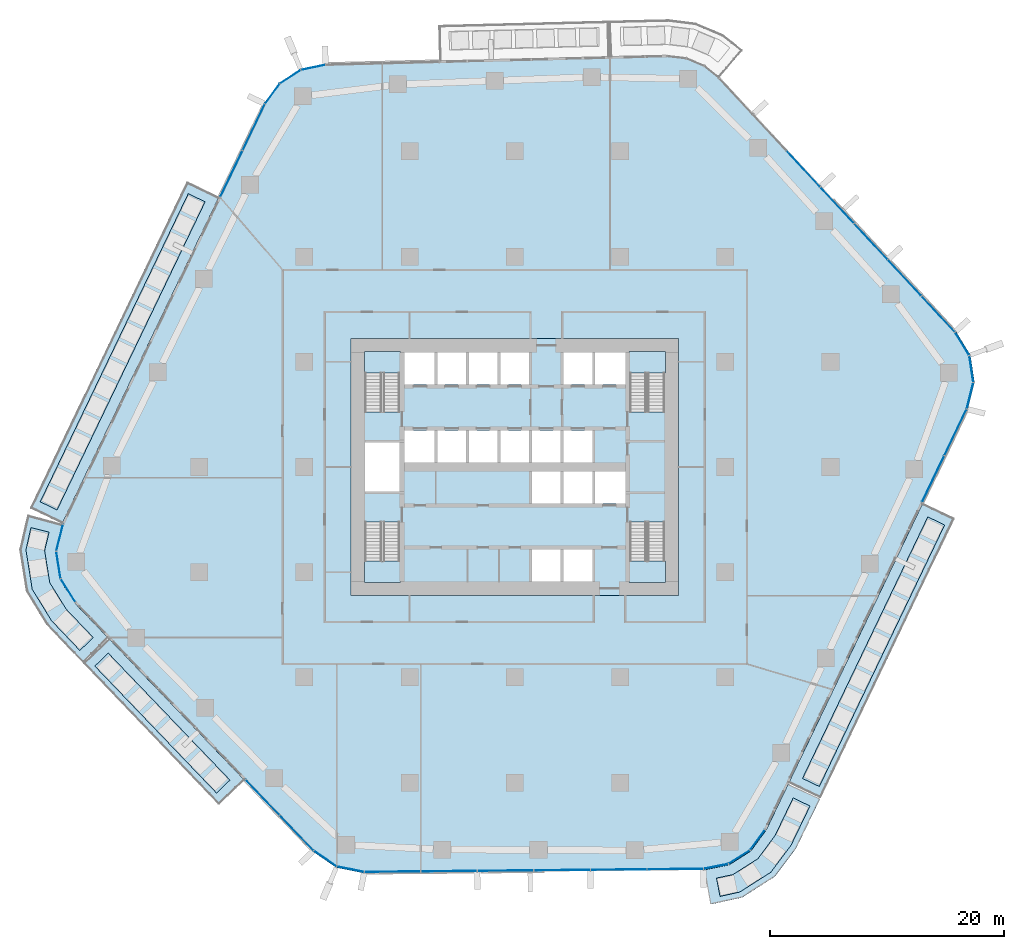
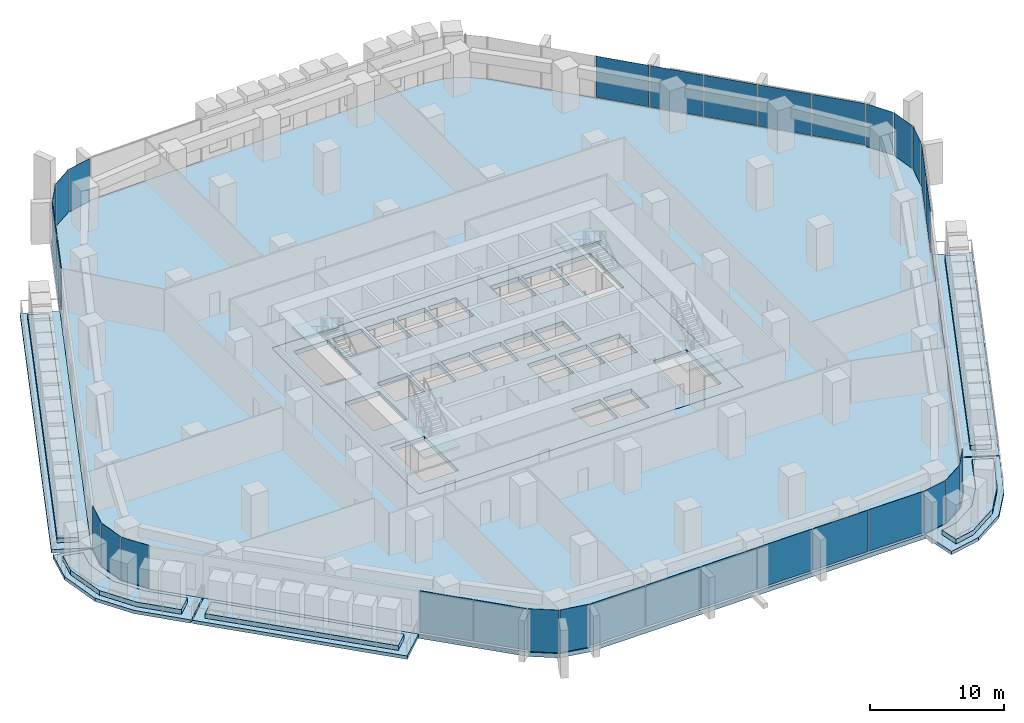
# One storey, part 10 of 23: 31 plates, 16 slabs, 14 elements without a shape of their own.
"""IFC4 building model written with IfcOpenShell, lengths in metres."""

import ifcopenshell
import ifcopenshell.guid

model = None  # the IFC model being written
_history = None  # IfcOwnerHistory: only IFC2X3 demands one
_inside = {}  # id of a spatial element -> (the spatial element, [elements in it])
_under = {}  # id of a project, library or spatial element -> (it, [spatial elements below it])
_declared = {}  # id of a project -> (the project, [libraries it declares])
_typed = {}  # id of a type object -> (the type object, [elements of that type])
_made_of = {}  # id of a material, layer set ... -> (it, [elements and type objects made of it])


def new_model(schema):
    """Start an empty IFC model of exactly this schema.

    Asked for "IFC4X3", IfcOpenShell would pick the latest addendum, in which some entities
    have other attributes; the version numbers below select the first issue.
    IFC2X3 requires an IfcOwnerHistory on every rooted entity: one is made here for all.
    """
    global model, _history
    if schema == "IFC4X3":
        model = ifcopenshell.file(schema_version=(4, 3, 0, 0))
    else:
        model = ifcopenshell.file(schema=schema)
    _inside.clear()
    _under.clear()
    _declared.clear()
    _typed.clear()
    _made_of.clear()
    _history = None
    if model.schema == "IFC2X3":
        org = make("IfcOrganization", Name="unknown")
        user = make(
            "IfcPersonAndOrganization",
            ThePerson=make("IfcPerson", FamilyName="unknown"),
            TheOrganization=org,
        )
        app = make(
            "IfcApplication",
            ApplicationDeveloper=org,
            Version="unknown",
            ApplicationFullName="unknown",
            ApplicationIdentifier="unknown",
        )
        _history = make(
            "IfcOwnerHistory",
            OwningUser=user,
            OwningApplication=app,
            ChangeAction="ADDED",
            CreationDate=0,
        )
    return model


def make(cls, **values):
    """One entity of the class cls with the attributes given. An attribute that is None is left unset."""
    return model.create_entity(
        cls, **{name: value for name, value in values.items() if value is not None}
    )


def rooted(cls, **values):
    """An entity with a GlobalId (a new one), such as an element, a storey or a relation."""
    return make(cls, GlobalId=ifcopenshell.guid.new(), OwnerHistory=_history, **values)


def si_unit(unit_type, name, prefix=None):
    """IfcSIUnit, for example si_unit("LENGTHUNIT", "METRE", prefix="MILLI")."""
    return make("IfcSIUnit", UnitType=unit_type, Prefix=prefix, Name=name)


def assignment(units):
    """IfcUnitAssignment: the units of a project."""
    return None if units is None else make("IfcUnitAssignment", Units=units)


def point(xyz):
    """IfcCartesianPoint."""
    return None if xyz is None else make("IfcCartesianPoint", Coordinates=xyz)


def direction(xyz):
    """IfcDirection."""
    return None if xyz is None else make("IfcDirection", DirectionRatios=xyz)


def frame(location, z_axis=None, x_axis=None):
    """IfcAxis2Placement3D, a coordinate frame: its origin and axes. An axis left out is left unset."""
    return make(
        "IfcAxis2Placement3D",
        Location=point(location),
        Axis=direction(z_axis),
        RefDirection=direction(x_axis),
    )


def frame_2d(location, x_axis=None):
    """IfcAxis2Placement2D, a coordinate frame in the plane: its origin and x axis."""
    return make(
        "IfcAxis2Placement2D", Location=point(location), RefDirection=direction(x_axis)
    )


def origin():
    """The frame at (0, 0, 0) with its axes left unset."""
    return frame((0.0, 0.0, 0.0))


def origin_2d():
    """The frame at (0, 0) in the plane with its x axis left unset."""
    return frame_2d((0.0, 0.0))


def place(relative_to, where):
    """IfcLocalPlacement: puts the frame where relative to a parent placement (None: the world)."""
    return make(
        "IfcLocalPlacement", PlacementRelTo=relative_to, RelativePlacement=where
    )


def context(
    kind, dimensions, precision=None, world=None, true_north=None, identifier=None
):
    """IfcGeometricRepresentationContext, for example the 3D "Model" context."""
    return make(
        "IfcGeometricRepresentationContext",
        ContextIdentifier=identifier,
        ContextType=kind,
        CoordinateSpaceDimension=dimensions,
        Precision=precision,
        WorldCoordinateSystem=world,
        TrueNorth=true_north,
    )


def subcontext(parent, identifier, kind, view, scale=None):
    """IfcGeometricRepresentationSubContext, for example "Body" below "Model"."""
    return make(
        "IfcGeometricRepresentationSubContext",
        ContextIdentifier=identifier,
        ContextType=kind,
        ParentContext=parent,
        TargetScale=scale,
        TargetView=view,
    )


def project(units=None, contexts=None):
    """IfcProject with its units and contexts."""
    return rooted(
        "IfcProject",
        Name="project",
        RepresentationContexts=contexts,
        UnitsInContext=assignment(units),
    )


def spatial(cls, under=None, at=None, **own):
    """A site, building, storey or space (cls), placed at a placement, below another one or the project."""
    s = rooted(cls, ObjectPlacement=at, **own)
    if under is not None:
        _under.setdefault(under.id(), (under, []))[1].append(s)
    return s


def polyline(points):
    """IfcPolyline through the points."""
    return make("IfcPolyline", Points=[point(p) for p in points])


def profile(cls, at=None, kind="AREA", **sizes):
    """A parametric profile (cls). Its sizes go by their IFC names, for example OverallWidth=200.0."""
    return make(cls, ProfileType=kind, Position=at, **sizes)


def rectangle(**sizes):
    """IfcRectangleProfileDef."""
    return profile("IfcRectangleProfileDef", **sizes)


def outline(outer, holes=None, kind="AREA"):
    """IfcArbitraryClosedProfileDef: a profile drawn as a closed curve; with holes, ...WithVoids."""
    if holes is None:
        return make("IfcArbitraryClosedProfileDef", ProfileType=kind, OuterCurve=outer)
    return make(
        "IfcArbitraryProfileDefWithVoids",
        ProfileType=kind,
        OuterCurve=outer,
        InnerCurves=holes,
    )


def extrude(swept, where, along, depth):
    """IfcExtrudedAreaSolid: the profile swept, set in the frame where, extruded along a direction by depth."""
    return make(
        "IfcExtrudedAreaSolid",
        SweptArea=swept,
        Position=where,
        ExtrudedDirection=direction(along),
        Depth=depth,
    )


def shape(context_of_items, identifier, shape_type, items):
    """IfcShapeRepresentation: the items that make up one representation, for example the "Body"."""
    return make(
        "IfcShapeRepresentation",
        ContextOfItems=context_of_items,
        RepresentationIdentifier=identifier,
        RepresentationType=shape_type,
        Items=items,
    )


def material(Name=None, Category=None):
    """IfcMaterial."""
    return make("IfcMaterial", Name=Name, Category=Category)


def layer(
    of_material, thickness, ventilated=None, Name=None, Category=None, Priority=None
):
    """IfcMaterialLayer: one layer of a wall or slab, of a material (None: an air gap)."""
    return make(
        "IfcMaterialLayer",
        Material=of_material,
        LayerThickness=thickness,
        IsVentilated=ventilated,
        Name=Name,
        Category=Category,
        Priority=Priority,
    )


def layer_set(layers, Name=None):
    """IfcMaterialLayerSet."""
    return make("IfcMaterialLayerSet", MaterialLayers=layers, LayerSetName=Name)


def made_of(thing, what):
    """Note that an element or type object is made of a material, layer set ...; save() writes the relation."""
    if what is not None:
        _made_of.setdefault(what.id(), (what, []))[1].append(thing)
    return thing


def type_object(cls, material=None, **own):
    """A type object (cls), such as IfcWallType, which elements share."""
    return made_of(rooted(cls, **own), material)


def element(
    cls,
    number,
    at=None,
    inside=None,
    cuts=None,
    type_object=None,
    material=None,
    context=None,
    identifier="Body",
    shape_type=None,
    held_by="IfcProductDefinitionShape",
    body=None,
    shapes=None,
    **own,
):
    """One element of the class cls, such as IfcWall. Its Tag is "e" and its number.

    at: its placement. inside: the storey or other place that contains it. cuts: it is an
    opening in that element (IfcRelVoidsElement). A single representation is given by context,
    identifier, shape_type and body (its items); several are given by shapes. held_by: the class
    of the entity that holds the representations. save() writes the other relations.
    """
    e = rooted(cls, Tag="e%d" % number, ObjectPlacement=at, **own)
    if body is not None:
        shapes = [shape(context, identifier, shape_type, body)]
    if shapes is not None:
        e.Representation = make(held_by, Representations=shapes)
    if inside is not None:
        _inside.setdefault(inside.id(), (inside, []))[1].append(e)
    if cuts is not None:
        rooted(
            "IfcRelVoidsElement", RelatingBuildingElement=cuts, RelatedOpeningElement=e
        )
    if type_object is not None:
        _typed.setdefault(type_object.id(), (type_object, []))[1].append(e)
    return made_of(e, material)


def aggregate(whole, parts):
    """IfcRelAggregates: a whole, such as a stair, and the parts it consists of."""
    return rooted("IfcRelAggregates", RelatingObject=whole, RelatedObjects=parts)


def save(model, path):
    """Write the relations noted so far, then the file.

    IfcRelAggregates (storeys below a building ...), IfcRelContainedInSpatialStructure (elements
    in a storey), IfcRelDefinesByType, IfcRelAssociatesMaterial and IfcRelDeclares: one each for
    every whole, place, type object, material and project.
    """
    for whole, parts in _under.values():
        aggregate(whole, parts)
    for where, things in _inside.values():
        rooted(
            "IfcRelContainedInSpatialStructure",
            RelatedElements=things,
            RelatingStructure=where,
        )
    for kind, things in _typed.values():
        rooted("IfcRelDefinesByType", RelatedObjects=things, RelatingType=kind)
    for what, things in _made_of.values():
        rooted("IfcRelAssociatesMaterial", RelatedObjects=things, RelatingMaterial=what)
    for by, libraries in _declared.values():
        rooted("IfcRelDeclares", RelatingContext=by, RelatedDefinitions=libraries)
    model.write(path)


model = new_model("IFC4")

# Units and contexts
model_context = context("Model", 3, precision=1e-05, world=origin(), true_north=direction((0.0, 1.0)))
body_context = subcontext(model_context, "Body", "Model", "MODEL_VIEW")
ifc_project = project(units=[si_unit("LENGTHUNIT", "METRE"), si_unit("AREAUNIT", "SQUARE_METRE"), si_unit("VOLUMEUNIT", "CUBIC_METRE"), si_unit("PLANEANGLEUNIT", "RADIAN"), si_unit("MASSUNIT", "GRAM", prefix="KILO")], contexts=[model_context])

# Site, building, storey
site_placement = place(None, origin())
site = spatial("IfcSite", under=ifc_project, at=site_placement, CompositionType="ELEMENT")
building_placement = place(site_placement, origin())
building = spatial("IfcBuilding", under=site, at=building_placement, Name="Dongbaek Canopy Tower", CompositionType="ELEMENT")
storey_placement = place(building_placement, frame((0.0, 0.0, 84.699951171875)))
storey = spatial("IfcBuildingStorey", under=building, at=storey_placement, Name="L17", CompositionType="ELEMENT", Elevation=84.699951171875)

# Slabs
ifc_material_1 = material(Name="Concrete C40/50", Category="concrete")
ifc_layer_1 = layer(ifc_material_1, 0.300048828125)
ifc_layer_set_1 = layer_set([ifc_layer_1], Name="Balcony slab 300")
slab_type_1 = type_object("IfcSlabType", Name="Balcony slab 300", PredefinedType="FLOOR", material=ifc_layer_set_1)
slab_1_placement = place(storey_placement, frame((0.0, 0.0, -0.300048828125)))
element("IfcSlab", 1, at=slab_1_placement, inside=storey, type_object=slab_type_1, Name="Balcony L17 2", PredefinedType="FLOOR", context=body_context, shape_type="SweptSolid", body=[
    extrude(outline(polyline([(-25.31494140625, 23.060546875), (-38.7119140625, -4.822509765625), (-41.416015625, -3.523193359375), (-28.018798828125, 24.359619140625), (-25.31494140625, 23.060546875)])), origin(), (0.0, 0.0, 1.0), 0.300048828125),
])
slab_2_placement = place(storey_placement, frame((0.0, 0.0, -0.300048828125)))
element("IfcSlab", 2, at=slab_2_placement, inside=storey, type_object=slab_type_1, Name="Balcony L17 3", PredefinedType="FLOOR", context=body_context, shape_type="SweptSolid", body=[
    extrude(outline(polyline([(-34.709716796875, -14.6923828125), (-23.129150390625, -26.77392578125), (-25.294921875, -28.849853515625), (-36.87548828125, -16.768310546875), (-34.709716796875, -14.6923828125)])), origin(), (0.0, 0.0, 1.0), 0.300048828125),
])
slab_3_placement = place(storey_placement, frame((0.0, 0.0, -0.300048828125)))
element("IfcSlab", 3, at=slab_3_placement, inside=storey, type_object=slab_type_1, Name="Balcony L17 6", PredefinedType="FLOOR", context=body_context, shape_type="SweptSolid", body=[
    extrude(outline(polyline([(-38.74560546875, -4.916015625), (-39.319580078125, -7.202880859375), (-38.9404296875, -9.580810546875), (-37.65673828125, -11.617919921875), (-34.779052734375, -14.620361328125), (-36.944580078125, -16.6962890625), (-40.020751953125, -13.46484375), (-41.747802734375, -10.63818359375), (-42.316650390625, -7.071533203125), (-41.655517578125, -4.185791015625), (-38.74560546875, -4.916015625)])), origin(), (0.0, 0.0, 1.0), 0.300048828125),
])
slab_4_placement = place(storey_placement, frame((0.0, 0.0, -0.300048828125)))
element("IfcSlab", 4, at=slab_4_placement, inside=storey, type_object=slab_type_1, Name="Balcony L17 4", PredefinedType="FLOOR", context=body_context, shape_type="SweptSolid", body=[
    extrude(outline(polyline([(23.433349609375, -27.016845703125), (34.88525390625, -3.115966796875), (37.590576171875, -4.412109375), (26.138916015625, -28.31298828125), (23.433349609375, -27.016845703125)])), origin(), (0.0, 0.0, 1.0), 0.300048828125),
])
slab_5_placement = place(storey_placement, frame((0.0, 0.0, -0.300048828125)))
element("IfcSlab", 5, at=slab_5_placement, inside=storey, type_object=slab_type_1, Name="Balcony L17 7", PredefinedType="FLOOR", context=body_context, shape_type="SweptSolid", body=[
    extrude(outline(polyline([(16.189208984375, -34.4580078125), (18.31494140625, -34.0380859375), (20.185302734375, -32.84814453125), (21.49609375, -31.060302734375), (23.39013671875, -27.10693359375), (26.095703125, -28.4033203125), (24.069580078125, -32.60205078125), (22.235595703125, -35.038330078125), (19.429931640625, -36.8232421875), (16.7705078125, -37.401123046875), (16.189208984375, -34.4580078125)])), origin(), (0.0, 0.0, 1.0), 0.300048828125),
])

# Curtain wall, plates
ifc_material_2 = material(Name="Aluminium 6063-T6 pale anodised", Category="aluminium")
ifc_layer_2 = layer(ifc_material_2, 0.199951171875)
ifc_layer_set_2 = layer_set([ifc_layer_2], Name="CW-1 unitised tower curtain wall")
curtain_wall_type = type_object("IfcCurtainWallType", Name="CW-1 unitised tower curtain wall", PredefinedType="NOTDEFINED", material=ifc_layer_set_2)
curtain_wall_1_placement = place(storey_placement, origin())
curtain_wall_1 = element("IfcCurtainWall", 6, at=curtain_wall_1_placement, inside=storey, type_object=curtain_wall_type, Name="CW-1 curtain wall K0.1", PredefinedType="NOTDEFINED")
ifc_material_3 = material(Name="Clear laminated glass", Category="glass")
ifc_layer_3 = layer(ifc_material_3, 0.028076171875)
ifc_layer_set_3 = layer_set([ifc_layer_3], Name="CW-1 glazed panel 28")
plate_type = type_object("IfcPlateType", Name="CW-1 glazed panel 28", PredefinedType="CURTAIN_PANEL", material=ifc_layer_set_3)
plate_1_placement = place(storey_placement, frame((38.93115234375, 6.096923828125, 0.0), z_axis=(0.0, 0.0, 1.0), x_axis=(0.245084324494, 0.969501765799, 0.0)))
plate_1 = element("IfcPlate", 7, at=plate_1_placement, type_object=plate_type, Name="CW-1 panel K0.1.1.1", PredefinedType="CURTAIN_PANEL", context=body_context, shape_type="SweptSolid", body=[
    extrude(rectangle(XDim=2.260498046875, YDim=0.028076171875, at=origin_2d()), origin(), (0.0, 0.0, 1.0), 3.89990234375),
])
plate_2_placement = place(storey_placement, frame((39.043212890625, 8.387451171875, 0.0), z_axis=(0.0, 0.0, 1.0), x_axis=(-0.150240075335, 0.98864954345, 0.0)))
plate_2 = element("IfcPlate", 8, at=plate_2_placement, type_object=plate_type, Name="CW-1 panel K0.1.2.1", PredefinedType="CURTAIN_PANEL", context=body_context, shape_type="SweptSolid", body=[
    extrude(rectangle(XDim=2.250244140625, YDim=0.028076171875, at=origin_2d()), origin(), (0.0, 0.0, 1.0), 3.89990234375),
])
plate_3_placement = place(storey_placement, frame((38.255859375, 10.541015625, 0.0), z_axis=(0.0, 0.0, 1.0), x_axis=(-0.522029665049, 0.852927329149, 0.0)))
plate_3 = element("IfcPlate", 9, at=plate_3_placement, type_object=plate_type, Name="CW-1 panel K0.1.3.1", PredefinedType="CURTAIN_PANEL", context=body_context, shape_type="SweptSolid", body=[
    extrude(rectangle(XDim=2.260498046875, YDim=0.028076171875, at=origin_2d()), origin(), (0.0, 0.0, 1.0), 3.89990234375),
])
aggregate(curtain_wall_1, [plate_1, plate_2, plate_3])

curtain_wall_2_placement = place(storey_placement, origin())
curtain_wall_2 = element("IfcCurtainWall", 10, at=curtain_wall_2_placement, inside=storey, type_object=curtain_wall_type, Name="CW-1 curtain wall F0.1", PredefinedType="NOTDEFINED")
plate_4_placement = place(storey_placement, frame((36.206787109375, 13.08837890625, 0.1201171875), z_axis=(0.0, 0.0, 1.0), x_axis=(-0.680494849771, 0.732752863819, 0.0)))
plate_4 = element("IfcPlate", 11, at=plate_4_placement, type_object=plate_type, Name="CW-1 panel F0.1.1.1", PredefinedType="CURTAIN_PANEL", context=body_context, shape_type="SweptSolid", body=[
    extrude(rectangle(XDim=4.139404296875, YDim=0.028076171875, at=origin_2d()), origin(), (0.0, 0.0, 1.0), 3.780029296875),
])
plate_5_placement = place(storey_placement, frame((33.329345703125, 16.186767578125, 0.1201171875), z_axis=(0.0, 0.0, 1.0), x_axis=(-0.680494849771, 0.732752863819, 0.0)))
plate_5 = element("IfcPlate", 12, at=plate_5_placement, type_object=plate_type, Name="CW-1 panel F0.1.2.1", PredefinedType="CURTAIN_PANEL", context=body_context, shape_type="SweptSolid", body=[
    extrude(rectangle(XDim=4.1494140625, YDim=0.028076171875, at=origin_2d()), origin(), (0.0, 0.0, 1.0), 3.780029296875),
])
plate_6_placement = place(storey_placement, frame((30.448486328125, 19.288818359375, 0.1201171875), z_axis=(0.0, 0.0, 1.0), x_axis=(-0.680494849771, 0.732752863819, 0.0)))
plate_6 = element("IfcPlate", 13, at=plate_6_placement, type_object=plate_type, Name="CW-1 panel F0.1.3.1", PredefinedType="CURTAIN_PANEL", context=body_context, shape_type="SweptSolid", body=[
    extrude(rectangle(XDim=4.1494140625, YDim=0.028076171875, at=origin_2d()), origin(), (0.0, 0.0, 1.0), 3.780029296875),
])
plate_7_placement = place(storey_placement, frame((27.567626953125, 22.390869140625, 0.1201171875), z_axis=(0.0, 0.0, 1.0), x_axis=(-0.680494849771, 0.732752863819, 0.0)))
plate_7 = element("IfcPlate", 14, at=plate_7_placement, type_object=plate_type, Name="CW-1 panel F0.1.4.1", PredefinedType="CURTAIN_PANEL", context=body_context, shape_type="SweptSolid", body=[
    extrude(rectangle(XDim=4.1494140625, YDim=0.028076171875, at=origin_2d()), origin(), (0.0, 0.0, 1.0), 3.780029296875),
])
plate_8_placement = place(storey_placement, frame((24.686767578125, 25.492919921875, 0.1201171875), z_axis=(0.0, 0.0, 1.0), x_axis=(-0.680494849771, 0.732752863819, 0.0)))
plate_8 = element("IfcPlate", 15, at=plate_8_placement, type_object=plate_type, Name="CW-1 panel F0.1.5.1", PredefinedType="CURTAIN_PANEL", context=body_context, shape_type="SweptSolid", body=[
    extrude(rectangle(XDim=4.1494140625, YDim=0.028076171875, at=origin_2d()), origin(), (0.0, 0.0, 1.0), 3.780029296875),
])
aggregate(curtain_wall_2, [plate_4, plate_5, plate_6, plate_7, plate_8])

curtain_wall_3_placement = place(storey_placement, origin())
curtain_wall_3 = element("IfcCurtainWall", 16, at=curtain_wall_3_placement, inside=storey, type_object=curtain_wall_type, Name="CW-1 curtain wall K2.1", PredefinedType="NOTDEFINED")
plate_9_placement = place(storey_placement, frame((-17.238525390625, 34.175048828125, 0.0), z_axis=(0.0, 0.0, 1.0), x_axis=(-0.97842860813, -0.206585233725, 0.0)))
plate_9 = element("IfcPlate", 17, at=plate_9_placement, type_object=plate_type, Name="CW-1 panel K2.1.1.1", PredefinedType="CURTAIN_PANEL", context=body_context, shape_type="SweptSolid", body=[
    extrude(rectangle(XDim=2.071533203125, YDim=0.028076171875, at=origin_2d()), origin(), (0.0, 0.0, 1.0), 3.89990234375),
])
plate_10_placement = place(storey_placement, frame((-19.1943359375, 33.369873046875, 0.0), z_axis=(0.0, 0.0, 1.0), x_axis=(-0.839731715715, -0.543001515303, 0.0)))
plate_10 = element("IfcPlate", 18, at=plate_10_placement, type_object=plate_type, Name="CW-1 panel K2.1.2.1", PredefinedType="CURTAIN_PANEL", context=body_context, shape_type="SweptSolid", body=[
    extrude(rectangle(XDim=2.062255859375, YDim=0.028076171875, at=origin_2d()), origin(), (0.0, 0.0, 1.0), 3.89990234375),
])
plate_11_placement = place(storey_placement, frame((-20.731201171875, 31.916748046875, 0.0), z_axis=(0.0, 0.0, 1.0), x_axis=(-0.589843643879, -0.807517477071, 0.0)))
plate_11 = element("IfcPlate", 19, at=plate_11_placement, type_object=plate_type, Name="CW-1 panel K2.1.3.1", PredefinedType="CURTAIN_PANEL", context=body_context, shape_type="SweptSolid", body=[
    extrude(rectangle(XDim=2.071533203125, YDim=0.028076171875, at=origin_2d()), origin(), (0.0, 0.0, 1.0), 3.89990234375),
])
aggregate(curtain_wall_3, [plate_9, plate_10, plate_11])

curtain_wall_4_placement = place(storey_placement, origin())
curtain_wall_4 = element("IfcCurtainWall", 20, at=curtain_wall_4_placement, inside=storey, type_object=curtain_wall_type, Name="CW-1 curtain wall F2.1", PredefinedType="NOTDEFINED")
plate_12_placement = place(storey_placement, frame((-22.324951171875, 29.052490234375, 0.1201171875), z_axis=(0.0, 0.0, 1.0), x_axis=(-0.433076633254, -0.901357104443, 0.0)))
plate_12 = element("IfcPlate", 21, at=plate_12_placement, type_object=plate_type, Name="CW-1 panel F2.1.1.1", PredefinedType="CURTAIN_PANEL", context=body_context, shape_type="SweptSolid", body=[
    extrude(rectangle(XDim=4.34033203125, YDim=0.028076171875, at=origin_2d()), origin(), (0.0, 0.0, 1.0), 3.780029296875),
])
plate_13_placement = place(storey_placement, frame((-24.242919921875, 25.060302734375, 0.1201171875), z_axis=(0.0, 0.0, 1.0), x_axis=(-0.433076633254, -0.901357104443, 0.0)))
plate_13 = element("IfcPlate", 22, at=plate_13_placement, type_object=plate_type, Name="CW-1 panel F2.1.2.1", PredefinedType="CURTAIN_PANEL", context=body_context, shape_type="SweptSolid", body=[
    extrude(rectangle(XDim=4.349609375, YDim=0.028076171875, at=origin_2d()), origin(), (0.0, 0.0, 1.0), 3.780029296875),
])
aggregate(curtain_wall_4, [plate_12, plate_13])

curtain_wall_5_placement = place(storey_placement, origin())
curtain_wall_5 = element("IfcCurtainWall", 23, at=curtain_wall_5_placement, inside=storey, type_object=curtain_wall_type, Name="CW-1 curtain wall K3.1", PredefinedType="NOTDEFINED")
plate_14_placement = place(storey_placement, frame((-38.92822265625, -6.0546875, 0.0), z_axis=(0.0, 0.0, 1.0), x_axis=(-0.243409944739, -0.969923501521, 0.0)))
plate_14 = element("IfcPlate", 24, at=plate_14_placement, type_object=plate_type, Name="CW-1 panel K3.1.1.1", PredefinedType="CURTAIN_PANEL", context=body_context, shape_type="SweptSolid", body=[
    extrude(rectangle(XDim=2.293212890625, YDim=0.028076171875, at=origin_2d()), origin(), (0.0, 0.0, 1.0), 3.89990234375),
])
plate_15_placement = place(storey_placement, frame((-39.03125, -8.3759765625, 0.0), z_axis=(0.0, 0.0, 1.0), x_axis=(0.157508024963, -0.98751770722, 0.0)))
plate_15 = element("IfcPlate", 25, at=plate_15_placement, type_object=plate_type, Name="CW-1 panel K3.1.2.1", PredefinedType="CURTAIN_PANEL", context=body_context, shape_type="SweptSolid", body=[
    extrude(rectangle(XDim=2.282958984375, YDim=0.028076171875, at=origin_2d()), origin(), (0.0, 0.0, 1.0), 3.89990234375),
])
plate_16_placement = place(storey_placement, frame((-38.211181640625, -10.55029296875, 0.0), z_axis=(0.0, 0.0, 1.0), x_axis=(0.533060150302, -0.84607734644, 0.0)))
plate_16 = element("IfcPlate", 26, at=plate_16_placement, type_object=plate_type, Name="CW-1 panel K3.1.3.1", PredefinedType="CURTAIN_PANEL", context=body_context, shape_type="SweptSolid", body=[
    extrude(rectangle(XDim=2.293212890625, YDim=0.028076171875, at=origin_2d()), origin(), (0.0, 0.0, 1.0), 3.89990234375),
])
aggregate(curtain_wall_5, [plate_14, plate_15, plate_16])

curtain_wall_6_placement = place(storey_placement, origin())
curtain_wall_6 = element("IfcCurtainWall", 27, at=curtain_wall_6_placement, inside=storey, type_object=curtain_wall_type, Name="CW-1 curtain wall F3.1", PredefinedType="NOTDEFINED")
plate_17_placement = place(storey_placement, frame((-21.566162109375, -28.260009765625, 0.1201171875), z_axis=(0.0, 0.0, 1.0), x_axis=(0.691986137217, -0.721910788047, 0.0)))
plate_17 = element("IfcPlate", 28, at=plate_17_placement, type_object=plate_type, Name="CW-1 panel F3.1.1.1", PredefinedType="CURTAIN_PANEL", context=body_context, shape_type="SweptSolid", body=[
    extrude(rectangle(XDim=4.124755859375, YDim=0.028076171875, at=origin_2d()), origin(), (0.0, 0.0, 1.0), 3.780029296875),
])
plate_18_placement = place(storey_placement, frame((-18.6572265625, -31.294677734375, 0.1201171875), z_axis=(0.0, 0.0, 1.0), x_axis=(0.691986137217, -0.721910788047, 0.0)))
plate_18 = element("IfcPlate", 29, at=plate_18_placement, type_object=plate_type, Name="CW-1 panel F3.1.2.1", PredefinedType="CURTAIN_PANEL", context=body_context, shape_type="SweptSolid", body=[
    extrude(rectangle(XDim=4.114501953125, YDim=0.028076171875, at=origin_2d()), origin(), (0.0, 0.0, 1.0), 3.780029296875),
])
aggregate(curtain_wall_6, [plate_17, plate_18])

curtain_wall_7_placement = place(storey_placement, origin())
curtain_wall_7 = element("IfcCurtainWall", 30, at=curtain_wall_7_placement, inside=storey, type_object=curtain_wall_type, Name="CW-1 curtain wall K4.1", PredefinedType="NOTDEFINED")
plate_19_placement = place(storey_placement, frame((-16.216064453125, -33.490234375, 0.0), z_axis=(0.0, 0.0, 1.0), x_axis=(0.823853709214, -0.566802492773, 0.0)))
plate_19 = element("IfcPlate", 31, at=plate_19_placement, type_object=plate_type, Name="CW-1 panel K4.1.1.1", PredefinedType="CURTAIN_PANEL", context=body_context, shape_type="SweptSolid", body=[
    extrude(rectangle(XDim=2.3154296875, YDim=0.028076171875, at=origin_2d()), origin(), (0.0, 0.0, 1.0), 3.89990234375),
])
plate_20_placement = place(storey_placement, frame((-14.050537109375, -34.40234375, 0.0), z_axis=(0.0, 0.0, 1.0), x_axis=(0.981098182125, -0.193510612192, 0.0)))
plate_20 = element("IfcPlate", 32, at=plate_20_placement, type_object=plate_type, Name="CW-1 panel K4.1.2.1", PredefinedType="CURTAIN_PANEL", context=body_context, shape_type="SweptSolid", body=[
    extrude(rectangle(XDim=2.3154296875, YDim=0.028076171875, at=origin_2d()), origin(), (0.0, 0.0, 1.0), 3.89990234375),
])
aggregate(curtain_wall_7, [plate_19, plate_20])

curtain_wall_8_placement = place(storey_placement, origin())
curtain_wall_8 = element("IfcCurtainWall", 33, at=curtain_wall_8_placement, inside=storey, type_object=curtain_wall_type, Name="CW-1 curtain wall F4.1", PredefinedType="NOTDEFINED")
plate_21_placement = place(storey_placement, frame((-10.460205078125, -34.6123046875, 0.1201171875), z_axis=(0.0, 0.0, 1.0), x_axis=(0.999957670771, 0.009200905705, 0.0)))
plate_21 = element("IfcPlate", 34, at=plate_21_placement, type_object=plate_type, Name="CW-1 panel F4.1.1.1", PredefinedType="CURTAIN_PANEL", context=body_context, shape_type="SweptSolid", body=[
    extrude(rectangle(XDim=4.7431640625, YDim=0.028076171875, at=origin_2d()), origin(), (0.0, 0.0, 1.0), 3.780029296875),
])
plate_22_placement = place(storey_placement, frame((-5.6279296875, -34.56787109375, 0.1201171875), z_axis=(0.0, 0.0, 1.0), x_axis=(0.999957670771, 0.009200905705, 0.0)))
plate_22 = element("IfcPlate", 35, at=plate_22_placement, type_object=plate_type, Name="CW-1 panel F4.1.2.1", PredefinedType="CURTAIN_PANEL", context=body_context, shape_type="SweptSolid", body=[
    extrude(rectangle(XDim=4.75341796875, YDim=0.028076171875, at=origin_2d()), origin(), (0.0, 0.0, 1.0), 3.780029296875),
])
plate_23_placement = place(storey_placement, frame((-0.790771484375, -34.5234375, 0.1201171875), z_axis=(0.0, 0.0, 1.0), x_axis=(0.999957670771, 0.009200905705, 0.0)))
plate_23 = element("IfcPlate", 36, at=plate_23_placement, type_object=plate_type, Name="CW-1 panel F4.1.3.1", PredefinedType="CURTAIN_PANEL", context=body_context, shape_type="SweptSolid", body=[
    extrude(rectangle(XDim=4.75341796875, YDim=0.028076171875, at=origin_2d()), origin(), (0.0, 0.0, 1.0), 3.780029296875),
])
plate_24_placement = place(storey_placement, frame((4.04638671875, -34.478759765625, 0.1201171875), z_axis=(0.0, 0.0, 1.0), x_axis=(0.999957670771, 0.009200905705, 0.0)))
plate_24 = element("IfcPlate", 37, at=plate_24_placement, type_object=plate_type, Name="CW-1 panel F4.1.4.1", PredefinedType="CURTAIN_PANEL", context=body_context, shape_type="SweptSolid", body=[
    extrude(rectangle(XDim=4.75341796875, YDim=0.028076171875, at=origin_2d()), origin(), (0.0, 0.0, 1.0), 3.780029296875),
])
plate_25_placement = place(storey_placement, frame((8.883544921875, -34.434326171875, 0.1201171875), z_axis=(0.0, 0.0, 1.0), x_axis=(0.999957670771, 0.009200905705, 0.0)))
plate_25 = element("IfcPlate", 38, at=plate_25_placement, type_object=plate_type, Name="CW-1 panel F4.1.5.1", PredefinedType="CURTAIN_PANEL", context=body_context, shape_type="SweptSolid", body=[
    extrude(rectangle(XDim=4.75341796875, YDim=0.028076171875, at=origin_2d()), origin(), (0.0, 0.0, 1.0), 3.780029296875),
])
plate_26_placement = place(storey_placement, frame((13.716064453125, -34.389892578125, 0.1201171875), z_axis=(0.0, 0.0, 1.0), x_axis=(0.999957670771, 0.009200905705, 0.0)))
plate_26 = element("IfcPlate", 39, at=plate_26_placement, type_object=plate_type, Name="CW-1 panel F4.1.6.1", PredefinedType="CURTAIN_PANEL", context=body_context, shape_type="SweptSolid", body=[
    extrude(rectangle(XDim=4.744140625, YDim=0.028076171875, at=origin_2d()), origin(), (0.0, 0.0, 1.0), 3.780029296875),
])
aggregate(curtain_wall_8, [plate_21, plate_22, plate_23, plate_24, plate_25, plate_26])

curtain_wall_9_placement = place(storey_placement, origin())
curtain_wall_9 = element("IfcCurtainWall", 40, at=curtain_wall_9_placement, inside=storey, type_object=curtain_wall_type, Name="CW-1 curtain wall K5.1", PredefinedType="NOTDEFINED")
plate_27_placement = place(storey_placement, frame((17.20361328125, -34.155517578125, 0.0), z_axis=(0.0, 0.0, 1.0), x_axis=(0.981048123238, 0.193764237908, 0.0)))
plate_27 = element("IfcPlate", 41, at=plate_27_placement, type_object=plate_type, Name="CW-1 panel K5.1.1.1", PredefinedType="CURTAIN_PANEL", context=body_context, shape_type="SweptSolid", body=[
    extrude(rectangle(XDim=2.104736328125, YDim=0.028076171875, at=origin_2d()), origin(), (0.0, 0.0, 1.0), 3.89990234375),
])
plate_28_placement = place(storey_placement, frame((19.196533203125, -33.358642578125, 0.0), z_axis=(0.0, 0.0, 1.0), x_axis=(0.843735736454, 0.536758797814, 0.0)))
plate_28 = element("IfcPlate", 42, at=plate_28_placement, type_object=plate_type, Name="CW-1 panel K5.1.2.1", PredefinedType="CURTAIN_PANEL", context=body_context, shape_type="SweptSolid", body=[
    extrude(rectangle(XDim=2.09521484375, YDim=0.028076171875, at=origin_2d()), origin(), (0.0, 0.0, 1.0), 3.89990234375),
])
plate_29_placement = place(storey_placement, frame((20.762939453125, -31.891357421875, 0.0), z_axis=(0.0, 0.0, 1.0), x_axis=(0.591253455655, 0.806485803456, 0.0)))
plate_29 = element("IfcPlate", 43, at=plate_29_placement, type_object=plate_type, Name="CW-1 panel K5.1.3.1", PredefinedType="CURTAIN_PANEL", context=body_context, shape_type="SweptSolid", body=[
    extrude(rectangle(XDim=2.104736328125, YDim=0.028076171875, at=origin_2d()), origin(), (0.0, 0.0, 1.0), 3.89990234375),
])
aggregate(curtain_wall_9, [plate_27, plate_28, plate_29])

curtain_wall_10_placement = place(storey_placement, origin())
curtain_wall_10 = element("IfcCurtainWall", 44, at=curtain_wall_10_placement, inside=storey, type_object=curtain_wall_type, Name="CW-1 curtain wall F5.1", PredefinedType="NOTDEFINED")
plate_30_placement = place(storey_placement, frame((35.7744140625, -1.0283203125, 0.1201171875), z_axis=(0.0, 0.0, 1.0), x_axis=(0.432095907478, 0.901827659113, 0.0)))
plate_30 = element("IfcPlate", 45, at=plate_30_placement, type_object=plate_type, Name="CW-1 panel F5.1.1.1", PredefinedType="CURTAIN_PANEL", context=body_context, shape_type="SweptSolid", body=[
    extrude(rectangle(XDim=4.349853515625, YDim=0.028076171875, at=origin_2d()), origin(), (0.0, 0.0, 1.0), 3.780029296875),
])
plate_31_placement = place(storey_placement, frame((37.688232421875, 2.965576171875, 0.1201171875), z_axis=(0.0, 0.0, 1.0), x_axis=(0.432095907478, 0.901827659113, 0.0)))
plate_31 = element("IfcPlate", 46, at=plate_31_placement, type_object=plate_type, Name="CW-1 panel F5.1.2.1", PredefinedType="CURTAIN_PANEL", context=body_context, shape_type="SweptSolid", body=[
    extrude(rectangle(XDim=4.33984375, YDim=0.028076171875, at=origin_2d()), origin(), (0.0, 0.0, 1.0), 3.780029296875),
])
aggregate(curtain_wall_10, [plate_30, plate_31])

# Slab
ifc_material_4 = material(Name="Concrete C40/50", Category="concrete")
ifc_layer_4 = layer(ifc_material_4, 0.39990234375)
ifc_layer_set_4 = layer_set([ifc_layer_4], Name="Core floor slab 400 Concrete C40/50")
slab_type_2 = type_object("IfcSlabType", Name="Core floor slab 400 Concrete C40/50", PredefinedType="FLOOR", material=ifc_layer_set_4)
slab_6_placement = place(storey_placement, frame((0.0, 0.0, -0.39990234375)))
element("IfcSlab", 47, at=slab_6_placement, inside=storey, type_object=slab_type_2, Name="Core floor slab L17", PredefinedType="FLOOR", context=body_context, shape_type="SweptSolid", body=[
    extrude(outline(polyline([(14.0, -11.0), (14.0, 11.0), (-14.0, 11.0), (-14.0, -11.0), (14.0, -11.0)]), holes=[polyline([(-12.800048828125, 2.10009765625), (-9.85009765625, 2.10009765625), (-9.85009765625, -2.10009765625), (-12.800048828125, -2.10009765625), (-12.800048828125, 2.10009765625)]), polyline([(-6.875, 9.800048828125), (-6.875, 7.074951171875), (-9.449951171875, 7.074951171875), (-9.449951171875, 9.800048828125), (-6.875, 9.800048828125)]), polyline([(-4.175048828125, 9.800048828125), (-4.175048828125, 7.074951171875), (-6.625, 7.074951171875), (-6.625, 9.800048828125), (-4.175048828125, 9.800048828125)]), polyline([(-1.47509765625, 9.800048828125), (-1.47509765625, 7.074951171875), (-3.925048828125, 7.074951171875), (-3.925048828125, 9.800048828125), (-1.47509765625, 9.800048828125)]), polyline([(1.22509765625, 9.800048828125), (1.22509765625, 7.074951171875), (-1.22509765625, 7.074951171875), (-1.22509765625, 9.800048828125), (1.22509765625, 9.800048828125)]), polyline([(6.625, 9.800048828125), (6.625, 7.074951171875), (4.175048828125, 7.074951171875), (4.175048828125, 9.800048828125), (6.625, 9.800048828125)]), polyline([(9.449951171875, 7.074951171875), (6.875, 7.074951171875), (6.875, 9.800048828125), (9.449951171875, 9.800048828125), (9.449951171875, 7.074951171875)]), polyline([(-9.449951171875, 3.125), (-6.875, 3.125), (-6.875, 0.39990234375), (-9.449951171875, 0.39990234375), (-9.449951171875, 3.125)]), polyline([(-6.625, 3.125), (-4.175048828125, 3.125), (-4.175048828125, 0.39990234375), (-6.625, 0.39990234375), (-6.625, 3.125)]), polyline([(-3.925048828125, 3.125), (-1.47509765625, 3.125), (-1.47509765625, 0.39990234375), (-3.925048828125, 0.39990234375), (-3.925048828125, 3.125)]), polyline([(-1.22509765625, 3.125), (1.22509765625, 3.125), (1.22509765625, 0.39990234375), (-1.22509765625, 0.39990234375), (-1.22509765625, 3.125)]), polyline([(1.47509765625, 0.39990234375), (1.47509765625, 3.125), (3.925048828125, 3.125), (3.925048828125, 0.39990234375), (1.47509765625, 0.39990234375)]), polyline([(4.175048828125, 0.39990234375), (4.175048828125, 3.125), (6.625, 3.125), (6.625, 0.39990234375), (4.175048828125, 0.39990234375)]), polyline([(3.925048828125, -0.39990234375), (3.925048828125, -3.125), (1.47509765625, -3.125), (1.47509765625, -0.39990234375), (3.925048828125, -0.39990234375)]), polyline([(6.625, -0.39990234375), (6.625, -3.125), (4.175048828125, -3.125), (4.175048828125, -0.39990234375), (6.625, -0.39990234375)]), polyline([(9.449951171875, -3.125), (6.875, -3.125), (6.875, -0.39990234375), (9.449951171875, -0.39990234375), (9.449951171875, -3.125)]), polyline([(1.47509765625, -9.800048828125), (1.47509765625, -7.074951171875), (3.925048828125, -7.074951171875), (3.925048828125, -9.800048828125), (1.47509765625, -9.800048828125)]), polyline([(4.175048828125, -9.800048828125), (4.175048828125, -7.074951171875), (6.625, -7.074951171875), (6.625, -9.800048828125), (4.175048828125, -9.800048828125)]), polyline([(12.800048828125, 4.70068359375), (12.800048828125, 9.800048828125), (9.85009765625, 9.800048828125), (9.85009765625, 4.70068359375), (12.800048828125, 4.70068359375)]), polyline([(-9.85009765625, 4.70068359375), (-9.85009765625, 9.800048828125), (-12.800048828125, 9.800048828125), (-12.800048828125, 4.70068359375), (-9.85009765625, 4.70068359375)]), polyline([(9.85009765625, -4.70068359375), (9.85009765625, -9.800048828125), (12.800048828125, -9.800048828125), (12.800048828125, -4.70068359375), (9.85009765625, -4.70068359375)]), polyline([(-12.800048828125, -4.70068359375), (-12.800048828125, -9.800048828125), (-9.85009765625, -9.800048828125), (-9.85009765625, -4.70068359375), (-12.800048828125, -4.70068359375)])]), origin(), (0.0, 0.0, 1.0), 0.39990234375),
])

# Stair, slab
ifc_material_5 = material(Name="Concrete C40/50", Category="concrete")
stair_type = type_object("IfcStairType", Name="Core exit stair", PredefinedType="HALF_TURN_STAIR", material=ifc_material_5)
stair_1_placement = place(storey_placement, origin())
stair_1 = element("IfcStair", 48, at=stair_1_placement, inside=storey, type_object=stair_type, Name="L17 exit stair A", PredefinedType="HALF_TURN_STAIR")
ifc_material_6 = material(Name="Concrete C40/50", Category="concrete")
ifc_layer_5 = layer(ifc_material_6, 0.199951171875)
ifc_layer_set_5 = layer_set([ifc_layer_5], Name="Core stair landing 200")
slab_type_3 = type_object("IfcSlabType", Name="Core stair landing 200", PredefinedType="LANDING", material=ifc_layer_set_5)
slab_7_placement = place(storey_placement, frame((0.0, 0.0, 2.050048828125)))
slab_7 = element("IfcSlab", 49, at=slab_7_placement, type_object=slab_type_3, Name="ST-A landing 1", PredefinedType="LANDING", context=body_context, shape_type="SweptSolid", body=[
    extrude(outline(polyline([(12.875, 8.06005859375), (12.875, 9.875), (9.77490234375, 9.875), (9.77490234375, 8.06005859375), (12.875, 8.06005859375)])), origin(), (0.0, 0.0, 1.0), 0.199951171875),
])
aggregate(stair_1, [slab_7])

stair_2_placement = place(storey_placement, origin())
stair_2 = element("IfcStair", 50, at=stair_2_placement, inside=storey, type_object=stair_type, Name="L17 exit stair C", PredefinedType="HALF_TURN_STAIR")
slab_8_placement = place(storey_placement, frame((0.0, 0.0, 2.050048828125)))
slab_8 = element("IfcSlab", 51, at=slab_8_placement, type_object=slab_type_3, Name="ST-C landing 1", PredefinedType="LANDING", context=body_context, shape_type="SweptSolid", body=[
    extrude(outline(polyline([(-9.77490234375, 8.06005859375), (-9.77490234375, 9.875), (-12.875, 9.875), (-12.875, 8.06005859375), (-9.77490234375, 8.06005859375)])), origin(), (0.0, 0.0, 1.0), 0.199951171875),
])
aggregate(stair_2, [slab_8])

stair_3_placement = place(storey_placement, origin())
stair_3 = element("IfcStair", 52, at=stair_3_placement, inside=storey, type_object=stair_type, Name="L17 exit stair B", PredefinedType="HALF_TURN_STAIR")
slab_9_placement = place(storey_placement, frame((0.0, 0.0, 2.050048828125)))
slab_9 = element("IfcSlab", 53, at=slab_9_placement, type_object=slab_type_3, Name="ST-B landing 1", PredefinedType="LANDING", context=body_context, shape_type="SweptSolid", body=[
    extrude(outline(polyline([(9.77490234375, -8.06005859375), (9.77490234375, -9.875), (12.875, -9.875), (12.875, -8.06005859375), (9.77490234375, -8.06005859375)])), origin(), (0.0, 0.0, 1.0), 0.199951171875),
])
aggregate(stair_3, [slab_9])

stair_4_placement = place(storey_placement, origin())
stair_4 = element("IfcStair", 54, at=stair_4_placement, inside=storey, type_object=stair_type, Name="L17 exit stair D", PredefinedType="HALF_TURN_STAIR")
slab_10_placement = place(storey_placement, frame((0.0, 0.0, 2.050048828125)))
slab_10 = element("IfcSlab", 55, at=slab_10_placement, type_object=slab_type_3, Name="ST-D landing 1", PredefinedType="LANDING", context=body_context, shape_type="SweptSolid", body=[
    extrude(outline(polyline([(-12.875, -8.06005859375), (-12.875, -9.875), (-9.77490234375, -9.875), (-9.77490234375, -8.06005859375), (-12.875, -8.06005859375)])), origin(), (0.0, 0.0, 1.0), 0.199951171875),
])
aggregate(stair_4, [slab_10])

# Slabs
ifc_material_7 = material(Name="Concrete C40", Category="concrete")
ifc_layer_6 = layer(ifc_material_7, 0.39990234375)
ifc_layer_set_6 = layer_set([ifc_layer_6], Name="RC FLAT PLATE 400 Concrete C40")
slab_type_4 = type_object("IfcSlabType", Name="RC FLAT PLATE 400 Concrete C40", PredefinedType="FLOOR", material=ifc_layer_set_6)
slab_11_placement = place(storey_placement, frame((0.0, 0.0, -0.39990234375)))
element("IfcSlab", 56, at=slab_11_placement, inside=storey, type_object=slab_type_4, Name="SLAB:L17", PredefinedType="FLOOR", context=body_context, shape_type="SweptSolid", body=[
    extrude(outline(polyline([(21.49609375, -31.060302734375), (20.185302734375, -32.84814453125), (18.31494140625, -34.0380859375), (16.14013671875, -34.467529296875), (-12.8828125, -34.734619140625), (-15.267333984375, -34.264404296875), (-17.26953125, -32.88671875), (-37.65673828125, -11.617919921875), (-38.940185546875, -9.580810546875), (-39.319580078125, -7.202880859375), (-38.7333984375, -4.86767578125), (-21.453125, 31.097900390625), (-20.165283203125, 32.861083984375), (-18.331787109375, 34.04638671875), (-16.19580078125, 34.49755859375), (13.0107421875, 35.2314453125), (14.688720703125, 35.03564453125), (16.24560546875, 34.3798828125), (17.55810546875, 33.31640625), (37.723876953125, 11.601806640625), (38.963623046875, 9.576171875), (39.3203125, 7.228515625), (38.73828125, 4.92626953125), (21.49609375, -31.060302734375)]), holes=[polyline([(14.0, 11.0), (-14.0, 11.0), (-14.0, -11.0), (14.0, -11.0), (14.0, 11.0)])]), origin(), (0.0, 0.0, 1.0), 0.39990234375),
])
ifc_material_8 = material(Name="Reinforced concrete C40/50 planter box with soil", Category="concrete")
ifc_layer_7 = layer(ifc_material_8, 0.419921875)
ifc_layer_set_7 = layer_set([ifc_layer_7], Name="Terrace planter box 1600 x 420")
slab_type_5 = type_object("IfcSlabType", Name="Terrace planter box 1600 x 420", PredefinedType="USERDEFINED", material=ifc_layer_set_7)
slab_12_placement = place(storey_placement, origin())
element("IfcSlab", 57, at=slab_12_placement, inside=storey, type_object=slab_type_5, Name="Balcony planter L17 2", ObjectType="PLANTER", PredefinedType="USERDEFINED", context=body_context, shape_type="SweptSolid", body=[
    extrude(outline(polyline([(-26.485107421875, 22.6796875), (-39.14599609375, -3.6708984375), (-40.588134765625, -2.97802734375), (-27.92724609375, 23.372802734375), (-26.485107421875, 22.6796875)])), origin(), (0.0, 0.0, 1.0), 0.420166015625),
])
slab_13_placement = place(storey_placement, origin())
element("IfcSlab", 58, at=slab_13_placement, inside=storey, type_object=slab_type_5, Name="Balcony planter L17 3", ObjectType="PLANTER", PredefinedType="USERDEFINED", context=body_context, shape_type="SweptSolid", body=[
    extrude(outline(polyline([(-34.76416015625, -15.921875), (-24.35986328125, -26.776123046875), (-25.514892578125, -27.88330078125), (-35.919189453125, -17.029052734375), (-34.76416015625, -15.921875)])), origin(), (0.0, 0.0, 1.0), 0.420166015625),
])
slab_14_placement = place(storey_placement, origin())
element("IfcSlab", 59, at=slab_14_placement, inside=storey, type_object=slab_type_5, Name="Balcony planter L17 6", ObjectType="PLANTER", PredefinedType="USERDEFINED", context=body_context, shape_type="SweptSolid", body=[
    extrude(outline(polyline([(-39.827880859375, -5.572265625), (-40.208740234375, -7.1640625), (-39.773193359375, -9.89453125), (-38.358154296875, -12.165771484375), (-36.044189453125, -14.58642578125), (-37.19921875, -15.693603515625), (-39.618896484375, -13.15087890625), (-41.2705078125, -10.458251953125), (-41.80712890625, -7.09375), (-41.3798828125, -5.182861328125), (-39.827880859375, -5.572265625)])), origin(), (0.0, 0.0, 1.0), 0.420166015625),
])
slab_15_placement = place(storey_placement, origin())
element("IfcSlab", 60, at=slab_15_placement, inside=storey, type_object=slab_type_5, Name="Balcony planter L17 4", ObjectType="PLANTER", PredefinedType="USERDEFINED", context=body_context, shape_type="SweptSolid", body=[
    extrude(outline(polyline([(24.603271484375, -26.634765625), (35.320556640625, -4.26708984375), (36.763427734375, -4.95849609375), (26.046142578125, -27.326171875), (24.603271484375, -26.634765625)])), origin(), (0.0, 0.0, 1.0), 0.420166015625),
])
slab_16_placement = place(storey_placement, origin())
element("IfcSlab", 61, at=slab_16_placement, inside=storey, type_object=slab_type_5, Name="Balcony planter L17 7", ObjectType="PLANTER", PredefinedType="USERDEFINED", context=body_context, shape_type="SweptSolid", body=[
    extrude(outline(polyline([(17.24462890625, -35.15673828125), (18.645751953125, -34.8642578125), (20.79345703125, -33.498046875), (22.259521484375, -31.517822265625), (23.803955078125, -28.30322265625), (25.246826171875, -28.99462890625), (23.632080078125, -32.340087890625), (21.886962890625, -34.666015625), (19.240478515625, -36.349609375), (17.5546875, -36.726318359375), (17.24462890625, -35.15673828125)])), origin(), (0.0, 0.0, 1.0), 0.420166015625),
])

save(model, "model.ifc")
